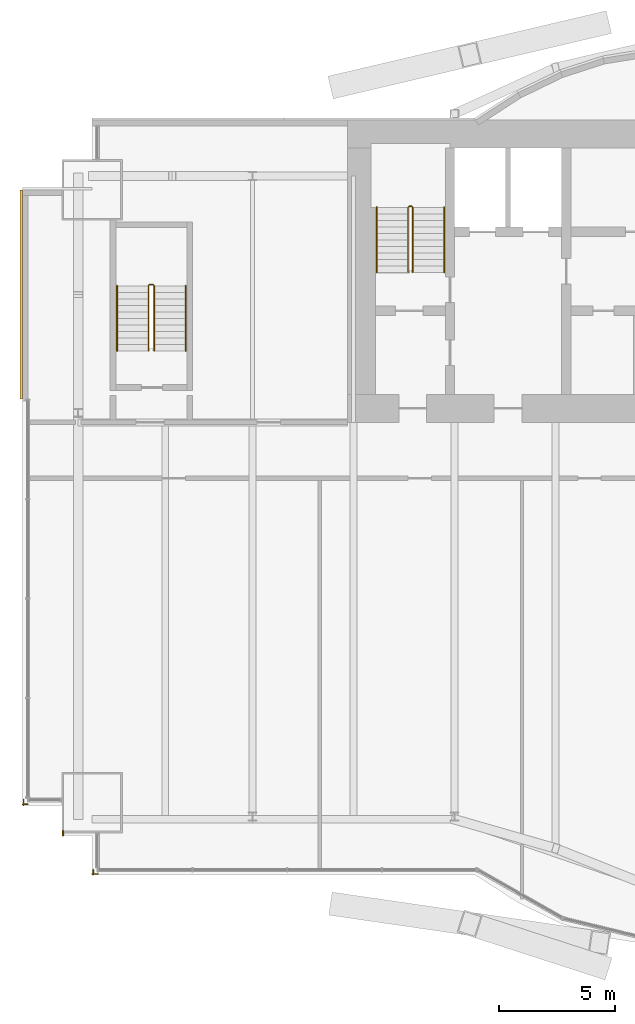
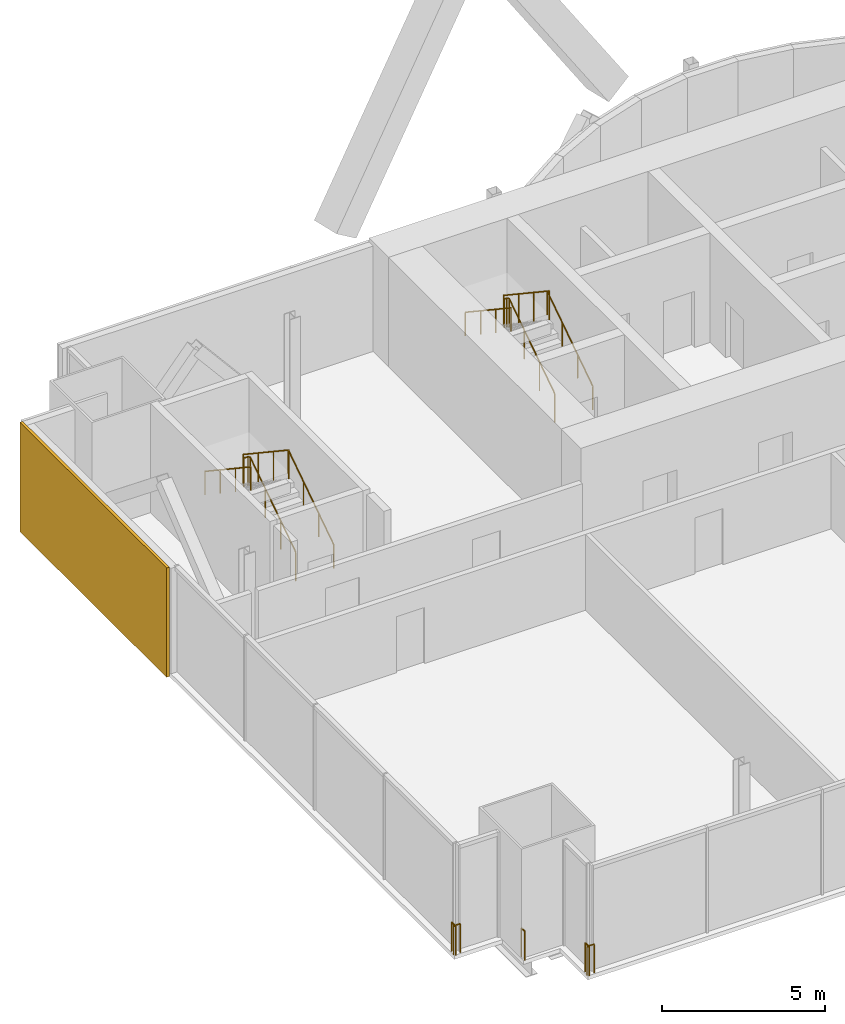
# One storey, part 20 of 22: 9 railings, 1 covering.
"""IFC4 building model written with IfcOpenShell, lengths in metres."""

from ifc_helpers import new_model, si_unit, direction, frame, origin, origin_2d, place, context, subcontext, project, spatial, rectangle, circle, extrude, material, layer, layer_set, type_object, element, save


model = new_model("IFC4")

# Units and contexts
model_context = context("Model", 3, precision=1e-05, world=origin(), true_north=direction((0.0, 1.0)))
body_context = subcontext(model_context, "Body", "Model", "MODEL_VIEW")
ifc_project = project(units=[si_unit("LENGTHUNIT", "METRE"), si_unit("AREAUNIT", "SQUARE_METRE"), si_unit("VOLUMEUNIT", "CUBIC_METRE"), si_unit("PLANEANGLEUNIT", "RADIAN"), si_unit("MASSUNIT", "GRAM", prefix="KILO")], contexts=[model_context])

# Site, building, storey
site_placement = place(None, origin())
site = spatial("IfcSite", under=ifc_project, at=site_placement, CompositionType="ELEMENT")
building_placement = place(site_placement, origin())
building = spatial("IfcBuilding", under=site, at=building_placement, Name="Bicima Exchange Tower", CompositionType="ELEMENT")
storey_placement = place(building_placement, frame((0.0, 0.0, 203.199951171875)))
storey = spatial("IfcBuildingStorey", under=building, at=storey_placement, Name="L45", CompositionType="ELEMENT", Elevation=203.199951171875)

# Covering
ifc_material_1 = material(Name="Bronze metal cladding")
ifc_layer_1 = layer(ifc_material_1, 0.004)
ifc_material_2 = material(Name="Ventilated cavity")
ifc_layer_2 = layer(ifc_material_2, 0.06)
ifc_material_3 = material(Name="Galvanised steel rail and mineral wool", Category="steel")
ifc_layer_3 = layer(ifc_material_3, 0.036)
ifc_layer_set = layer_set([ifc_layer_1, ifc_layer_2, ifc_layer_3], Name="Ventilated cavity")
covering_type = type_object("IfcCoveringType", Name="Bronze metal cladding panel 100", PredefinedType="CLADDING", material=ifc_layer_set)
covering_placement = place(storey_placement, frame((-36.050048828125, -7.5, -0.14990234375), z_axis=(0.0, 0.0, 1.0), x_axis=(0.0, -1.0, 0.0)))
element("IfcCovering", 1, at=covering_placement, inside=storey, type_object=covering_type, Name="Bronze cladding L45 23.1", PredefinedType="CLADDING", context=body_context, shape_type="SweptSolid", body=[
    extrude(rectangle(XDim=9.0, YDim=0.10009765625, at=origin_2d()), origin(), (0.0, 0.0, 1.0), 4.10009765625),
])

# Railings
ifc_material_4 = material(Name="Stainless steel and bonded safety glass", Category="steel")
railing_type_1 = type_object("IfcRailingType", Name="Edge guard 1100", PredefinedType="GUARDRAIL", material=ifc_material_4)
railing_1_placement = place(storey_placement, frame((-35.757080078125, -29.43408203125, 0.0)))
element("IfcRailing", 2, at=railing_1_placement, inside=storey, type_object=railing_type_1, Name="Edge guard L45 225", PredefinedType="GUARDRAIL", context=body_context, shape_type="SweptSolid", body=[
    extrude(circle(Radius=0.02392578125, at=origin_2d()), frame((0.0, 0.0, 1.076171875), z_axis=(-1.0, 0.0, 0.0), x_axis=(0.0, -1.0, 0.0)), (0.0, 0.0, 1.0), 0.242919921875),
    extrude(circle(Radius=0.02392578125, at=origin_2d()), frame((-0.242919921875, 0.0, 1.076171875), z_axis=(0.708833529934, -0.705375805398, 0.0), x_axis=(0.705375805398, 0.708833529934, 0.0)), (0.0, 0.0, 1.0), 0.070556640625),
    extrude(circle(Radius=0.02392578125, at=origin_2d()), frame((-0.19287109375, -0.0498046875, 1.076171875), z_axis=(0.0, 1.0, 0.0), x_axis=(-1.0, 0.0, 0.0)), (0.0, 0.0, 1.0), 0.25),
    extrude(circle(Radius=0.02099609375, at=origin_2d()), origin(), (0.0, 0.0, 1.0), 1.052001953125),
    extrude(circle(Radius=0.02099609375, at=origin_2d()), frame((-0.242919921875, 0.0, 0.0)), (0.0, 0.0, 1.0), 1.052001953125),
    extrude(circle(Radius=0.02099609375, at=origin_2d()), frame((-0.19287109375, -0.0498046875, 0.0)), (0.0, 0.0, 1.0), 1.052001953125),
    extrude(circle(Radius=0.02099609375, at=origin_2d()), frame((-0.19287109375, 0.2001953125, 0.0)), (0.0, 0.0, 1.0), 1.052001953125),
])
railing_2_placement = place(storey_placement, frame((-32.75, -32.43408203125, 0.0)))
element("IfcRailing", 3, at=railing_2_placement, inside=storey, type_object=railing_type_1, Name="Edge guard L45 229", PredefinedType="GUARDRAIL", context=body_context, shape_type="SweptSolid", body=[
    extrude(circle(Radius=0.02392578125, at=origin_2d()), frame((0.0, 0.0, 1.076171875), z_axis=(-1.0, 0.0, 0.0), x_axis=(0.0, -1.0, 0.0)), (0.0, 0.0, 1.0), 0.25),
    extrude(circle(Radius=0.02392578125, at=origin_2d()), frame((-0.25, 0.0, 1.076171875), z_axis=(0.708833529934, -0.705375805398, 0.0), x_axis=(0.705375805398, 0.708833529934, 0.0)), (0.0, 0.0, 1.0), 0.070556640625),
    extrude(circle(Radius=0.02392578125, at=origin_2d()), frame((-0.199951171875, -0.0498046875, 1.076171875), z_axis=(0.0, 1.0, 0.0), x_axis=(-1.0, 0.0, 0.0)), (0.0, 0.0, 1.0), 0.242919921875),
    extrude(circle(Radius=0.02099609375, at=origin_2d()), origin(), (0.0, 0.0, 1.0), 1.052001953125),
    extrude(circle(Radius=0.02099609375, at=origin_2d()), frame((-0.25, 0.0, 0.0)), (0.0, 0.0, 1.0), 1.052001953125),
    extrude(circle(Radius=0.02099609375, at=origin_2d()), frame((-0.199951171875, -0.0498046875, 0.0)), (0.0, 0.0, 1.0), 1.052001953125),
    extrude(circle(Radius=0.02099609375, at=origin_2d()), frame((-0.199951171875, 0.193115234375, 0.0)), (0.0, 0.0, 1.0), 1.052001953125),
])
railing_3_placement = place(storey_placement, frame((-34.25, -30.783935546875, 0.0)))
element("IfcRailing", 4, at=railing_3_placement, inside=storey, type_object=railing_type_1, Name="Edge guard L45 230", PredefinedType="GUARDRAIL", context=body_context, shape_type="SweptSolid", body=[
    extrude(circle(Radius=0.02392578125, at=origin_2d()), frame((0.0, 0.0, 1.076171875), z_axis=(0.0, 1.0, 0.0), x_axis=(-1.0, 0.0, 0.0)), (0.0, 0.0, 1.0), 0.217041015625),
    extrude(circle(Radius=0.02099609375, at=origin_2d()), origin(), (0.0, 0.0, 1.0), 1.052001953125),
    extrude(circle(Radius=0.02099609375, at=origin_2d()), frame((0.0, 0.217041015625, 0.0)), (0.0, 0.0, 1.0), 1.052001953125),
])
ifc_material_5 = material(Name="Stainless steel", Category="steel")
railing_type_2 = type_object("IfcRailingType", Name="Stair guard 1100", PredefinedType="GUARDRAIL", material=ifc_material_5)
railing_4_placement = place(storey_placement, frame((-19.199951171875, -6.550048828125, 0.1865234375)))
element("IfcRailing", 5, at=railing_4_placement, inside=storey, type_object=railing_type_2, Name="L45 ST-W stair guard 1", PredefinedType="GUARDRAIL", context=body_context, shape_type="SweptSolid", body=[
    extrude(circle(Radius=0.02392578125, at=origin_2d()), frame((0.0, 0.0, 1.076171875), z_axis=(0.0, 0.832485552168, 0.554046753832), x_axis=(-1.0, 0.0, 0.0)), (0.0, 0.0, 1.0), 3.363525390625),
    extrude(circle(Radius=0.02392578125, at=origin_2d()), frame((0.0, 2.800048828125, 2.939453125), z_axis=(-0.707106781187, 0.707106781187, 0.0), x_axis=(-0.707106781187, -0.707106781187, 0.0)), (0.0, 0.0, 1.0), 0.07080078125),
    extrude(circle(Radius=0.02392578125, at=origin_2d()), frame((-0.050048828125, 2.85009765625, 2.939453125), z_axis=(-1.0, 0.0, 0.0), x_axis=(0.0, -1.0, 0.0)), (0.0, 0.0, 1.0), 0.10009765625),
    extrude(circle(Radius=0.02392578125, at=origin_2d()), frame((-0.150146484375, 2.85009765625, 2.939453125), z_axis=(-0.250008635948, -0.251234168477, 0.935081319748), x_axis=(0.708833529934, -0.705375805398, 0.0)), (0.0, 0.0, 1.0), 0.19921875),
    extrude(circle(Radius=0.02392578125, at=origin_2d()), frame((-0.199951171875, 2.800048828125, 3.1259765625), z_axis=(0.0, -0.832452072856, 0.554097055034), x_axis=(1.0, 0.0, 0.0)), (0.0, 0.0, 1.0), 3.363525390625),
    extrude(circle(Radius=0.02099609375, at=origin_2d()), origin(), (0.0, 0.0, 1.0), 1.052001953125),
    extrude(circle(Radius=0.02099609375, at=origin_2d()), frame((0.0, 0.933349609375, 0.62109375)), (0.0, 0.0, 1.0), 1.052001953125),
    extrude(circle(Radius=0.02099609375, at=origin_2d()), frame((0.0, 1.86669921875, 1.242431640625)), (0.0, 0.0, 1.0), 1.052001953125),
    extrude(circle(Radius=0.02099609375, at=origin_2d()), frame((0.0, 2.800048828125, 1.863525390625)), (0.0, 0.0, 1.0), 1.052001953125),
    extrude(circle(Radius=0.02099609375, at=origin_2d()), frame((-0.050048828125, 2.85009765625, 1.863525390625)), (0.0, 0.0, 1.0), 1.052001953125),
    extrude(circle(Radius=0.02099609375, at=origin_2d()), frame((-0.150146484375, 2.85009765625, 1.863525390625)), (0.0, 0.0, 1.0), 1.052001953125),
    extrude(circle(Radius=0.02099609375, at=origin_2d()), frame((-0.199951171875, 2.800048828125, 2.0498046875)), (0.0, 0.0, 1.0), 1.052001953125),
    extrude(circle(Radius=0.02099609375, at=origin_2d()), frame((-0.199951171875, 1.86669921875, 2.671142578125)), (0.0, 0.0, 1.0), 1.052001953125),
    extrude(circle(Radius=0.02099609375, at=origin_2d()), frame((-0.199951171875, 0.933349609375, 3.292236328125)), (0.0, 0.0, 1.0), 1.052001953125),
    extrude(circle(Radius=0.02099609375, at=origin_2d()), frame((-0.199951171875, 0.0, 3.91357421875)), (0.0, 0.0, 1.0), 1.052001953125),
])
railing_5_placement = place(storey_placement, frame((-30.324951171875, -9.925048828125, 0.1865234375)))
element("IfcRailing", 6, at=railing_5_placement, inside=storey, type_object=railing_type_2, Name="L45 ST-WW stair guard 1", PredefinedType="GUARDRAIL", context=body_context, shape_type="SweptSolid", body=[
    extrude(circle(Radius=0.02392578125, at=origin_2d()), frame((0.0, 0.0, 1.076171875), z_axis=(0.0, 0.832485552168, 0.554046753832), x_axis=(-1.0, 0.0, 0.0)), (0.0, 0.0, 1.0), 3.363525390625),
    extrude(circle(Radius=0.02392578125, at=origin_2d()), frame((0.0, 2.800048828125, 2.939453125), z_axis=(-0.707106781187, 0.707106781187, 0.0), x_axis=(-0.707106781187, -0.707106781187, 0.0)), (0.0, 0.0, 1.0), 0.07080078125),
    extrude(circle(Radius=0.02392578125, at=origin_2d()), frame((-0.050048828125, 2.85009765625, 2.939453125), z_axis=(-1.0, 0.0, 0.0), x_axis=(0.0, -1.0, 0.0)), (0.0, 0.0, 1.0), 0.14990234375),
    extrude(circle(Radius=0.02392578125, at=origin_2d()), frame((-0.199951171875, 2.85009765625, 2.939453125), z_axis=(-0.251157038772, -0.251157038772, 0.934794246747), x_axis=(0.707106781187, -0.707106781187, 0.0)), (0.0, 0.0, 1.0), 0.19921875),
    extrude(circle(Radius=0.02392578125, at=origin_2d()), frame((-0.25, 2.800048828125, 3.1259765625), z_axis=(0.0, -0.832452072856, 0.554097055034), x_axis=(1.0, 0.0, 0.0)), (0.0, 0.0, 1.0), 3.363525390625),
    extrude(circle(Radius=0.02099609375, at=origin_2d()), origin(), (0.0, 0.0, 1.0), 1.052001953125),
    extrude(circle(Radius=0.02099609375, at=origin_2d()), frame((0.0, 0.933349609375, 0.62109375)), (0.0, 0.0, 1.0), 1.052001953125),
    extrude(circle(Radius=0.02099609375, at=origin_2d()), frame((0.0, 1.86669921875, 1.242431640625)), (0.0, 0.0, 1.0), 1.052001953125),
    extrude(circle(Radius=0.02099609375, at=origin_2d()), frame((0.0, 2.800048828125, 1.863525390625)), (0.0, 0.0, 1.0), 1.052001953125),
    extrude(circle(Radius=0.02099609375, at=origin_2d()), frame((-0.050048828125, 2.85009765625, 1.863525390625)), (0.0, 0.0, 1.0), 1.052001953125),
    extrude(circle(Radius=0.02099609375, at=origin_2d()), frame((-0.199951171875, 2.85009765625, 1.863525390625)), (0.0, 0.0, 1.0), 1.052001953125),
    extrude(circle(Radius=0.02099609375, at=origin_2d()), frame((-0.25, 2.800048828125, 2.0498046875)), (0.0, 0.0, 1.0), 1.052001953125),
    extrude(circle(Radius=0.02099609375, at=origin_2d()), frame((-0.25, 1.86669921875, 2.671142578125)), (0.0, 0.0, 1.0), 1.052001953125),
    extrude(circle(Radius=0.02099609375, at=origin_2d()), frame((-0.25, 0.933349609375, 3.292236328125)), (0.0, 0.0, 1.0), 1.052001953125),
    extrude(circle(Radius=0.02099609375, at=origin_2d()), frame((-0.25, 0.0, 3.91357421875)), (0.0, 0.0, 1.0), 1.052001953125),
])
railing_type_3 = type_object("IfcRailingType", Name="Stair handrail 900", PredefinedType="HANDRAIL", material=ifc_material_5)
railing_6_placement = place(storey_placement, frame((-17.85009765625, -6.550048828125, 0.1865234375)))
element("IfcRailing", 7, at=railing_6_placement, inside=storey, type_object=railing_type_3, Name="L45 ST-W stair handrail 1", PredefinedType="HANDRAIL", context=body_context, shape_type="SweptSolid", body=[
    extrude(circle(Radius=0.02392578125, at=origin_2d()), frame((0.0, 0.0, 0.8759765625), z_axis=(0.0, 0.832485552168, 0.554046753832), x_axis=(-1.0, 0.0, 0.0)), (0.0, 0.0, 1.0), 3.363525390625),
    extrude(circle(Radius=0.02099609375, at=origin_2d()), origin(), (0.0, 0.0, 1.0), 0.851806640625),
    extrude(circle(Radius=0.02099609375, at=origin_2d()), frame((0.0, 0.933349609375, 0.62109375)), (0.0, 0.0, 1.0), 0.851806640625),
    extrude(circle(Radius=0.02099609375, at=origin_2d()), frame((0.0, 1.86669921875, 1.242431640625)), (0.0, 0.0, 1.0), 0.851806640625),
    extrude(circle(Radius=0.02099609375, at=origin_2d()), frame((0.0, 2.800048828125, 1.863525390625)), (0.0, 0.0, 1.0), 0.851806640625),
])
railing_7_placement = place(storey_placement, frame((-20.75, -3.75, 2.27685546875)))
element("IfcRailing", 8, at=railing_7_placement, inside=storey, type_object=railing_type_3, Name="L45 ST-W stair handrail 2", PredefinedType="HANDRAIL", context=body_context, shape_type="SweptSolid", body=[
    extrude(circle(Radius=0.02392578125, at=origin_2d()), frame((0.0, 0.0, 0.8759765625), z_axis=(0.0, -0.832485552168, 0.554046753832), x_axis=(1.0, 0.0, 0.0)), (0.0, 0.0, 1.0), 3.363525390625),
    extrude(circle(Radius=0.02099609375, at=origin_2d()), origin(), (0.0, 0.0, 1.0), 0.851806640625),
    extrude(circle(Radius=0.02099609375, at=origin_2d()), frame((0.0, -0.933349609375, 0.62109375)), (0.0, 0.0, 1.0), 0.851806640625),
    extrude(circle(Radius=0.02099609375, at=origin_2d()), frame((0.0, -1.86669921875, 1.242431640625)), (0.0, 0.0, 1.0), 0.851806640625),
    extrude(circle(Radius=0.02099609375, at=origin_2d()), frame((0.0, -2.800048828125, 1.863525390625)), (0.0, 0.0, 1.0), 0.851806640625),
])
railing_8_placement = place(storey_placement, frame((-28.97509765625, -9.925048828125, 0.1865234375)))
element("IfcRailing", 9, at=railing_8_placement, inside=storey, type_object=railing_type_3, Name="L45 ST-WW stair handrail 1", PredefinedType="HANDRAIL", context=body_context, shape_type="SweptSolid", body=[
    extrude(circle(Radius=0.02392578125, at=origin_2d()), frame((0.0, 0.0, 0.8759765625), z_axis=(0.0, 0.832485552168, 0.554046753832), x_axis=(-1.0, 0.0, 0.0)), (0.0, 0.0, 1.0), 3.363525390625),
    extrude(circle(Radius=0.02099609375, at=origin_2d()), origin(), (0.0, 0.0, 1.0), 0.851806640625),
    extrude(circle(Radius=0.02099609375, at=origin_2d()), frame((0.0, 0.933349609375, 0.62109375)), (0.0, 0.0, 1.0), 0.851806640625),
    extrude(circle(Radius=0.02099609375, at=origin_2d()), frame((0.0, 1.86669921875, 1.242431640625)), (0.0, 0.0, 1.0), 0.851806640625),
    extrude(circle(Radius=0.02099609375, at=origin_2d()), frame((0.0, 2.800048828125, 1.863525390625)), (0.0, 0.0, 1.0), 0.851806640625),
])
railing_9_placement = place(storey_placement, frame((-31.925048828125, -7.125, 2.27685546875)))
element("IfcRailing", 10, at=railing_9_placement, inside=storey, type_object=railing_type_3, Name="L45 ST-WW stair handrail 2", PredefinedType="HANDRAIL", context=body_context, shape_type="SweptSolid", body=[
    extrude(circle(Radius=0.02392578125, at=origin_2d()), frame((0.0, 0.0, 0.8759765625), z_axis=(0.0, -0.832485552168, 0.554046753832), x_axis=(1.0, 0.0, 0.0)), (0.0, 0.0, 1.0), 3.363525390625),
    extrude(circle(Radius=0.02099609375, at=origin_2d()), origin(), (0.0, 0.0, 1.0), 0.851806640625),
    extrude(circle(Radius=0.02099609375, at=origin_2d()), frame((0.0, -0.933349609375, 0.62109375)), (0.0, 0.0, 1.0), 0.851806640625),
    extrude(circle(Radius=0.02099609375, at=origin_2d()), frame((0.0, -1.86669921875, 1.242431640625)), (0.0, 0.0, 1.0), 0.851806640625),
    extrude(circle(Radius=0.02099609375, at=origin_2d()), frame((0.0, -2.800048828125, 1.863525390625)), (0.0, 0.0, 1.0), 0.851806640625),
])

save(model, "model.ifc")
